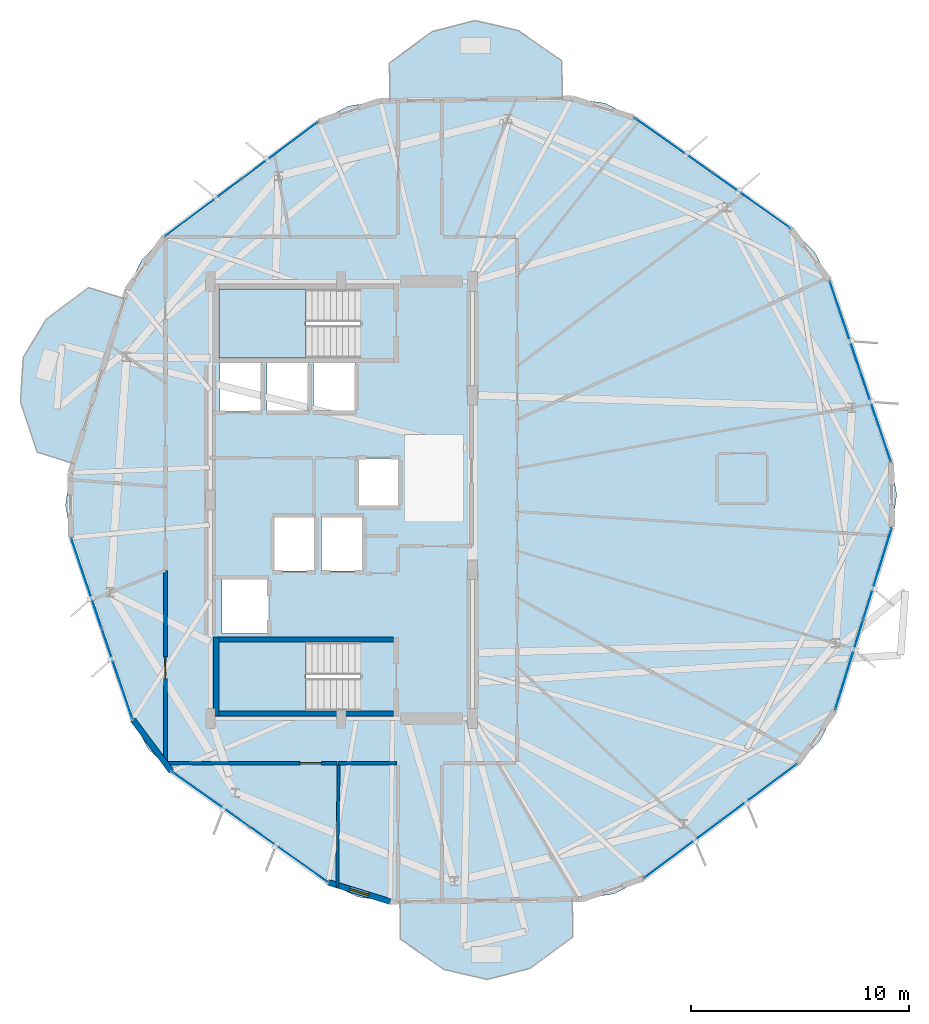
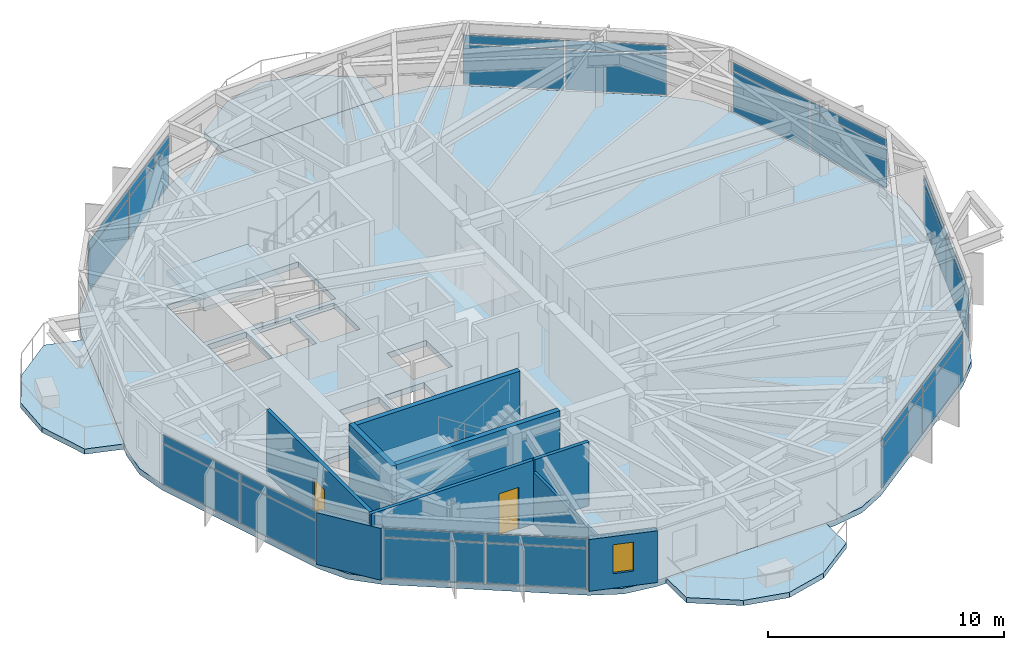
# One storey, part 20 of 27: 28 plates, 9 walls, 6 slabs, 2 doors, 1 window, 3 openings, 9 elements without a shape of their own.
"""IFC4 building model written with IfcOpenShell, lengths in metres."""

from ifc_helpers import new_model, si_unit, direction, frame, frame_2d, origin, origin_2d, place, context, subcontext, project, spatial, polyline, rectangle, outline, extrude, material, layer, layer_set, type_object, element, fill, aggregate, save


model = new_model("IFC4")

# Units and contexts
model_context = context("Model", 3, precision=1e-05, world=origin(), true_north=direction((0.0, 1.0)))
body_context = subcontext(model_context, "Body", "Model", "MODEL_VIEW")
ifc_project = project(units=[si_unit("LENGTHUNIT", "METRE"), si_unit("AREAUNIT", "SQUARE_METRE"), si_unit("VOLUMEUNIT", "CUBIC_METRE"), si_unit("PLANEANGLEUNIT", "RADIAN"), si_unit("MASSUNIT", "GRAM", prefix="KILO")], contexts=[model_context])

# Site, building, storey
site_placement = place(None, origin())
site = spatial("IfcSite", under=ifc_project, at=site_placement, CompositionType="ELEMENT")
building_placement = place(site_placement, origin())
building = spatial("IfcBuilding", under=site, at=building_placement, Name="Soratama Intermodal Tower", CompositionType="ELEMENT")
storey_placement = place(building_placement, frame((0.0, 0.0, 167.800048828125)))
storey = spatial("IfcBuildingStorey", under=building, at=storey_placement, Name="L41", CompositionType="ELEMENT", Elevation=167.800048828125)

# Curtain wall, plates
ifc_material_1 = material(Name="Double-glazed aluminium curtain wall", Category="aluminium")
ifc_layer_1 = layer(ifc_material_1, 0.159912109375)
ifc_layer_set_1 = layer_set([ifc_layer_1], Name="Double-glazed aluminium curtain wall")
curtain_wall_type = type_object("IfcCurtainWallType", Name="CW-SYS-4", PredefinedType="NOTDEFINED", material=ifc_layer_set_1)
curtain_wall_1_placement = place(storey_placement, origin())
curtain_wall_1 = element("IfcCurtainWall", 1, at=curtain_wall_1_placement, inside=storey, type_object=curtain_wall_type, Name="L41 Faceted Curtain Wall F01", PredefinedType="NOTDEFINED")
ifc_material_2 = material(Name="Low-E laminated double glazing", Category="glass")
ifc_layer_2 = layer(ifc_material_2, 0.02392578125)
ifc_layer_set_2 = layer_set([ifc_layer_2], Name="Low-E laminated double glazing")
plate_type = type_object("IfcPlateType", Name="PT-CWP-4", PredefinedType="CURTAIN_PANEL", material=ifc_layer_set_2)
plate_1_placement = place(storey_placement, frame((57.368408203125, 38.701904296875, 0.059814453125), z_axis=(0.0, 0.0, 1.0), x_axis=(-0.816345137098, 0.577564383542, 0.0)))
plate_1 = element("IfcPlate", 2, at=plate_1_placement, type_object=plate_type, Name="CW-4 panel 1.1", PredefinedType="CURTAIN_PANEL", context=body_context, shape_type="SweptSolid", body=[
    extrude(rectangle(XDim=4.305908203125, YDim=0.028076171875, at=origin_2d()), origin(), (0.0, 0.0, 1.0), 2.06005859375),
])
plate_2_placement = place(storey_placement, frame((57.368408203125, 38.701904296875, 2.179931640625), z_axis=(0.0, 0.0, 1.0), x_axis=(-0.816345137098, 0.577564383542, 0.0)))
plate_2 = element("IfcPlate", 3, at=plate_2_placement, type_object=plate_type, Name="CW-4 panel 1.2", PredefinedType="CURTAIN_PANEL", context=body_context, shape_type="SweptSolid", body=[
    extrude(rectangle(XDim=4.305908203125, YDim=0.028076171875, at=origin_2d()), origin(), (0.0, 0.0, 1.0), 0.43896484375),
])
plate_3_placement = place(storey_placement, frame((53.80419921875, 41.223388671875, 0.059814453125), z_axis=(0.0, 0.0, 1.0), x_axis=(-0.816345137098, 0.577564383542, 0.0)))
plate_3 = element("IfcPlate", 4, at=plate_3_placement, type_object=plate_type, Name="CW-4 panel 2.1", PredefinedType="CURTAIN_PANEL", context=body_context, shape_type="SweptSolid", body=[
    extrude(rectangle(XDim=4.305908203125, YDim=0.028076171875, at=origin_2d()), origin(), (0.0, 0.0, 1.0), 2.06005859375),
])
plate_4_placement = place(storey_placement, frame((53.80419921875, 41.223388671875, 2.179931640625), z_axis=(0.0, 0.0, 1.0), x_axis=(-0.816345137098, 0.577564383542, 0.0)))
plate_4 = element("IfcPlate", 5, at=plate_4_placement, type_object=plate_type, Name="CW-4 panel 2.2", PredefinedType="CURTAIN_PANEL", context=body_context, shape_type="SweptSolid", body=[
    extrude(rectangle(XDim=4.305908203125, YDim=0.028076171875, at=origin_2d()), origin(), (0.0, 0.0, 1.0), 0.43896484375),
])
aggregate(curtain_wall_1, [plate_1, plate_2, plate_3, plate_4])

curtain_wall_2_placement = place(storey_placement, origin())
curtain_wall_2 = element("IfcCurtainWall", 6, at=curtain_wall_2_placement, inside=storey, type_object=curtain_wall_type, Name="L41 Faceted Curtain Wall F03", PredefinedType="NOTDEFINED")
plate_5_placement = place(storey_placement, frame((35.790771484375, 40.9970703125, 0.059814453125), z_axis=(0.0, 0.0, 1.0), x_axis=(-0.801565569848, -0.59790688007, 0.0)))
plate_5 = element("IfcPlate", 7, at=plate_5_placement, type_object=plate_type, Name="CW-4 panel 1.1", PredefinedType="CURTAIN_PANEL", context=body_context, shape_type="SweptSolid", body=[
    extrude(rectangle(XDim=4.305908203125, YDim=0.028076171875, at=origin_2d()), origin(), (0.0, 0.0, 1.0), 2.06005859375),
])
plate_6_placement = place(storey_placement, frame((35.790771484375, 40.9970703125, 2.179931640625), z_axis=(0.0, 0.0, 1.0), x_axis=(-0.801565569848, -0.59790688007, 0.0)))
plate_6 = element("IfcPlate", 8, at=plate_6_placement, type_object=plate_type, Name="CW-4 panel 1.2", PredefinedType="CURTAIN_PANEL", context=body_context, shape_type="SweptSolid", body=[
    extrude(rectangle(XDim=4.305908203125, YDim=0.028076171875, at=origin_2d()), origin(), (0.0, 0.0, 1.0), 0.43896484375),
])
plate_7_placement = place(storey_placement, frame((32.291259765625, 38.38671875, 0.059814453125), z_axis=(0.0, 0.0, 1.0), x_axis=(-0.801565569848, -0.59790688007, 0.0)))
plate_7 = element("IfcPlate", 9, at=plate_7_placement, type_object=plate_type, Name="CW-4 panel 2.1", PredefinedType="CURTAIN_PANEL", context=body_context, shape_type="SweptSolid", body=[
    extrude(rectangle(XDim=4.305908203125, YDim=0.028076171875, at=origin_2d()), origin(), (0.0, 0.0, 1.0), 2.06005859375),
])
plate_8_placement = place(storey_placement, frame((32.291259765625, 38.38671875, 2.179931640625), z_axis=(0.0, 0.0, 1.0), x_axis=(-0.801565569848, -0.59790688007, 0.0)))
plate_8 = element("IfcPlate", 10, at=plate_8_placement, type_object=plate_type, Name="CW-4 panel 2.2", PredefinedType="CURTAIN_PANEL", context=body_context, shape_type="SweptSolid", body=[
    extrude(rectangle(XDim=4.305908203125, YDim=0.028076171875, at=origin_2d()), origin(), (0.0, 0.0, 1.0), 0.43896484375),
])
aggregate(curtain_wall_2, [plate_5, plate_6, plate_7, plate_8])

curtain_wall_3_placement = place(storey_placement, origin())
curtain_wall_3 = element("IfcCurtainWall", 11, at=curtain_wall_3_placement, inside=storey, type_object=curtain_wall_type, Name="L41 Faceted Curtain Wall F05", PredefinedType="NOTDEFINED")
plate_9_placement = place(storey_placement, frame((26.93994140625, 21.184814453125, 0.059814453125), z_axis=(0.0, 0.0, 1.0), x_axis=(0.320939679503, -0.947099636849, 0.0)))
plate_9 = element("IfcPlate", 12, at=plate_9_placement, type_object=plate_type, Name="CW-4 panel 1.1", PredefinedType="CURTAIN_PANEL", context=body_context, shape_type="SweptSolid", body=[
    extrude(rectangle(XDim=4.305908203125, YDim=0.028076171875, at=origin_2d()), origin(), (0.0, 0.0, 1.0), 2.06005859375),
])
plate_10_placement = place(storey_placement, frame((26.93994140625, 21.184814453125, 2.179931640625), z_axis=(0.0, 0.0, 1.0), x_axis=(0.320939679503, -0.947099636849, 0.0)))
plate_10 = element("IfcPlate", 13, at=plate_10_placement, type_object=plate_type, Name="CW-4 panel 1.2", PredefinedType="CURTAIN_PANEL", context=body_context, shape_type="SweptSolid", body=[
    extrude(rectangle(XDim=4.305908203125, YDim=0.028076171875, at=origin_2d()), origin(), (0.0, 0.0, 1.0), 0.43896484375),
])
plate_11_placement = place(storey_placement, frame((28.341064453125, 17.050048828125, 0.059814453125), z_axis=(0.0, 0.0, 1.0), x_axis=(0.320939679503, -0.947099636849, 0.0)))
plate_11 = element("IfcPlate", 14, at=plate_11_placement, type_object=plate_type, Name="CW-4 panel 2.1", PredefinedType="CURTAIN_PANEL", context=body_context, shape_type="SweptSolid", body=[
    extrude(rectangle(XDim=4.305908203125, YDim=0.028076171875, at=origin_2d()), origin(), (0.0, 0.0, 1.0), 2.06005859375),
])
plate_12_placement = place(storey_placement, frame((28.341064453125, 17.050048828125, 2.179931640625), z_axis=(0.0, 0.0, 1.0), x_axis=(0.320939679503, -0.947099636849, 0.0)))
plate_12 = element("IfcPlate", 15, at=plate_12_placement, type_object=plate_type, Name="CW-4 panel 2.2", PredefinedType="CURTAIN_PANEL", context=body_context, shape_type="SweptSolid", body=[
    extrude(rectangle(XDim=4.305908203125, YDim=0.028076171875, at=origin_2d()), origin(), (0.0, 0.0, 1.0), 0.43896484375),
])
aggregate(curtain_wall_3, [plate_9, plate_10, plate_11, plate_12])

curtain_wall_4_placement = place(storey_placement, origin())
curtain_wall_4 = element("IfcCurtainWall", 16, at=curtain_wall_4_placement, inside=storey, type_object=curtain_wall_type, Name="L41 Faceted Curtain Wall F06", PredefinedType="NOTDEFINED")
plate_13_placement = place(storey_placement, frame((32.631591796875, 11.298095703125, 0.059814453125), z_axis=(0.0, 0.0, 1.0), x_axis=(0.816345137098, -0.577564383542, 0.0)))
plate_13 = element("IfcPlate", 17, at=plate_13_placement, type_object=plate_type, Name="CW-4 panel 1.1", PredefinedType="CURTAIN_PANEL", context=body_context, shape_type="SweptSolid", body=[
    extrude(rectangle(XDim=4.305908203125, YDim=0.028076171875, at=origin_2d()), origin(), (0.0, 0.0, 1.0), 2.06005859375),
])
plate_14_placement = place(storey_placement, frame((32.631591796875, 11.298095703125, 2.179931640625), z_axis=(0.0, 0.0, 1.0), x_axis=(0.816345137098, -0.577564383542, 0.0)))
plate_14 = element("IfcPlate", 18, at=plate_14_placement, type_object=plate_type, Name="CW-4 panel 1.2", PredefinedType="CURTAIN_PANEL", context=body_context, shape_type="SweptSolid", body=[
    extrude(rectangle(XDim=4.305908203125, YDim=0.028076171875, at=origin_2d()), origin(), (0.0, 0.0, 1.0), 0.43896484375),
])
plate_15_placement = place(storey_placement, frame((36.19580078125, 8.776611328125, 0.059814453125), z_axis=(0.0, 0.0, 1.0), x_axis=(0.816345137098, -0.577564383542, 0.0)))
plate_15 = element("IfcPlate", 19, at=plate_15_placement, type_object=plate_type, Name="CW-4 panel 2.1", PredefinedType="CURTAIN_PANEL", context=body_context, shape_type="SweptSolid", body=[
    extrude(rectangle(XDim=4.305908203125, YDim=0.028076171875, at=origin_2d()), origin(), (0.0, 0.0, 1.0), 2.06005859375),
])
plate_16_placement = place(storey_placement, frame((36.19580078125, 8.776611328125, 2.179931640625), z_axis=(0.0, 0.0, 1.0), x_axis=(0.816345137098, -0.577564383542, 0.0)))
plate_16 = element("IfcPlate", 20, at=plate_16_placement, type_object=plate_type, Name="CW-4 panel 2.2", PredefinedType="CURTAIN_PANEL", context=body_context, shape_type="SweptSolid", body=[
    extrude(rectangle(XDim=4.305908203125, YDim=0.028076171875, at=origin_2d()), origin(), (0.0, 0.0, 1.0), 0.43896484375),
])
aggregate(curtain_wall_4, [plate_13, plate_14, plate_15, plate_16])

curtain_wall_5_placement = place(storey_placement, origin())
curtain_wall_5 = element("IfcCurtainWall", 21, at=curtain_wall_5_placement, inside=storey, type_object=curtain_wall_type, Name="L41 Faceted Curtain Wall F08", PredefinedType="NOTDEFINED")
plate_17_placement = place(storey_placement, frame((54.209228515625, 9.0029296875, 0.059814453125), z_axis=(0.0, 0.0, 1.0), x_axis=(0.801565569848, 0.59790688007, 0.0)))
plate_17 = element("IfcPlate", 22, at=plate_17_placement, type_object=plate_type, Name="CW-4 panel 1.1", PredefinedType="CURTAIN_PANEL", context=body_context, shape_type="SweptSolid", body=[
    extrude(rectangle(XDim=4.305908203125, YDim=0.028076171875, at=origin_2d()), origin(), (0.0, 0.0, 1.0), 2.06005859375),
])
plate_18_placement = place(storey_placement, frame((54.209228515625, 9.0029296875, 2.179931640625), z_axis=(0.0, 0.0, 1.0), x_axis=(0.801565569848, 0.59790688007, 0.0)))
plate_18 = element("IfcPlate", 23, at=plate_18_placement, type_object=plate_type, Name="CW-4 panel 1.2", PredefinedType="CURTAIN_PANEL", context=body_context, shape_type="SweptSolid", body=[
    extrude(rectangle(XDim=4.305908203125, YDim=0.028076171875, at=origin_2d()), origin(), (0.0, 0.0, 1.0), 0.43896484375),
])
plate_19_placement = place(storey_placement, frame((57.708740234375, 11.61328125, 0.059814453125), z_axis=(0.0, 0.0, 1.0), x_axis=(0.801565569848, 0.59790688007, 0.0)))
plate_19 = element("IfcPlate", 24, at=plate_19_placement, type_object=plate_type, Name="CW-4 panel 2.1", PredefinedType="CURTAIN_PANEL", context=body_context, shape_type="SweptSolid", body=[
    extrude(rectangle(XDim=4.305908203125, YDim=0.028076171875, at=origin_2d()), origin(), (0.0, 0.0, 1.0), 2.06005859375),
])
plate_20_placement = place(storey_placement, frame((57.708740234375, 11.61328125, 2.179931640625), z_axis=(0.0, 0.0, 1.0), x_axis=(0.801565569848, 0.59790688007, 0.0)))
plate_20 = element("IfcPlate", 25, at=plate_20_placement, type_object=plate_type, Name="CW-4 panel 2.2", PredefinedType="CURTAIN_PANEL", context=body_context, shape_type="SweptSolid", body=[
    extrude(rectangle(XDim=4.305908203125, YDim=0.028076171875, at=origin_2d()), origin(), (0.0, 0.0, 1.0), 0.43896484375),
])
aggregate(curtain_wall_5, [plate_17, plate_18, plate_19, plate_20])

curtain_wall_6_placement = place(storey_placement, origin())
curtain_wall_6 = element("IfcCurtainWall", 26, at=curtain_wall_6_placement, inside=storey, type_object=curtain_wall_type, Name="L41 Faceted Curtain Wall F09", PredefinedType="NOTDEFINED")
plate_21_placement = place(storey_placement, frame((61.853271484375, 17.47119140625, 0.059814453125), z_axis=(0.0, 0.0, 1.0), x_axis=(0.297040971785, 0.954864734442, 0.0)))
plate_21 = element("IfcPlate", 27, at=plate_21_placement, type_object=plate_type, Name="CW-4 panel 1.1", PredefinedType="CURTAIN_PANEL", context=body_context, shape_type="SweptSolid", body=[
    extrude(rectangle(XDim=4.305908203125, YDim=0.028076171875, at=origin_2d()), origin(), (0.0, 0.0, 1.0), 2.06005859375),
])
plate_22_placement = place(storey_placement, frame((61.853271484375, 17.47119140625, 2.179931640625), z_axis=(0.0, 0.0, 1.0), x_axis=(0.297040971785, 0.954864734442, 0.0)))
plate_22 = element("IfcPlate", 28, at=plate_22_placement, type_object=plate_type, Name="CW-4 panel 1.2", PredefinedType="CURTAIN_PANEL", context=body_context, shape_type="SweptSolid", body=[
    extrude(rectangle(XDim=4.305908203125, YDim=0.028076171875, at=origin_2d()), origin(), (0.0, 0.0, 1.0), 0.43896484375),
])
plate_23_placement = place(storey_placement, frame((63.150146484375, 21.639892578125, 0.059814453125), z_axis=(0.0, 0.0, 1.0), x_axis=(0.297040971785, 0.954864734442, 0.0)))
plate_23 = element("IfcPlate", 29, at=plate_23_placement, type_object=plate_type, Name="CW-4 panel 2.1", PredefinedType="CURTAIN_PANEL", context=body_context, shape_type="SweptSolid", body=[
    extrude(rectangle(XDim=4.305908203125, YDim=0.028076171875, at=origin_2d()), origin(), (0.0, 0.0, 1.0), 2.06005859375),
])
plate_24_placement = place(storey_placement, frame((63.150146484375, 21.639892578125, 2.179931640625), z_axis=(0.0, 0.0, 1.0), x_axis=(0.297040971785, 0.954864734442, 0.0)))
plate_24 = element("IfcPlate", 30, at=plate_24_placement, type_object=plate_type, Name="CW-4 panel 2.2", PredefinedType="CURTAIN_PANEL", context=body_context, shape_type="SweptSolid", body=[
    extrude(rectangle(XDim=4.305908203125, YDim=0.028076171875, at=origin_2d()), origin(), (0.0, 0.0, 1.0), 0.43896484375),
])
aggregate(curtain_wall_6, [plate_21, plate_22, plate_23, plate_24])

curtain_wall_7_placement = place(storey_placement, origin())
curtain_wall_7 = element("IfcCurtainWall", 31, at=curtain_wall_7_placement, inside=storey, type_object=curtain_wall_type, Name="L41 Faceted Curtain Wall F10", PredefinedType="NOTDEFINED")
plate_25_placement = place(storey_placement, frame((63.06005859375, 28.815185546875, 0.059814453125), z_axis=(0.0, 0.0, 1.0), x_axis=(-0.320939679503, 0.947099636849, 0.0)))
plate_25 = element("IfcPlate", 32, at=plate_25_placement, type_object=plate_type, Name="CW-4 panel 1.1", PredefinedType="CURTAIN_PANEL", context=body_context, shape_type="SweptSolid", body=[
    extrude(rectangle(XDim=4.305908203125, YDim=0.028076171875, at=origin_2d()), origin(), (0.0, 0.0, 1.0), 2.06005859375),
])
plate_26_placement = place(storey_placement, frame((63.06005859375, 28.815185546875, 2.179931640625), z_axis=(0.0, 0.0, 1.0), x_axis=(-0.320939679503, 0.947099636849, 0.0)))
plate_26 = element("IfcPlate", 33, at=plate_26_placement, type_object=plate_type, Name="CW-4 panel 1.2", PredefinedType="CURTAIN_PANEL", context=body_context, shape_type="SweptSolid", body=[
    extrude(rectangle(XDim=4.305908203125, YDim=0.028076171875, at=origin_2d()), origin(), (0.0, 0.0, 1.0), 0.43896484375),
])
plate_27_placement = place(storey_placement, frame((61.658935546875, 32.949951171875, 0.059814453125), z_axis=(0.0, 0.0, 1.0), x_axis=(-0.320939679503, 0.947099636849, 0.0)))
plate_27 = element("IfcPlate", 34, at=plate_27_placement, type_object=plate_type, Name="CW-4 panel 2.1", PredefinedType="CURTAIN_PANEL", context=body_context, shape_type="SweptSolid", body=[
    extrude(rectangle(XDim=4.305908203125, YDim=0.028076171875, at=origin_2d()), origin(), (0.0, 0.0, 1.0), 2.06005859375),
])
plate_28_placement = place(storey_placement, frame((61.658935546875, 32.949951171875, 2.179931640625), z_axis=(0.0, 0.0, 1.0), x_axis=(-0.320939679503, 0.947099636849, 0.0)))
plate_28 = element("IfcPlate", 35, at=plate_28_placement, type_object=plate_type, Name="CW-4 panel 2.2", PredefinedType="CURTAIN_PANEL", context=body_context, shape_type="SweptSolid", body=[
    extrude(rectangle(XDim=4.305908203125, YDim=0.028076171875, at=origin_2d()), origin(), (0.0, 0.0, 1.0), 0.43896484375),
])
aggregate(curtain_wall_7, [plate_25, plate_26, plate_27, plate_28])

# Slabs
ifc_material_3 = material(Name="Concrete f'c 42 MPa", Category="concrete")
ifc_layer_3 = layer(ifc_material_3, 0.27001953125)
ifc_layer_set_3 = layer_set([ifc_layer_3], Name="Concrete f'c 42 MPa")
slab_type_1 = type_object("IfcSlabType", Name="SL-EXT-BAL1", PredefinedType="FLOOR", material=ifc_layer_set_3)
slab_1_placement = place(storey_placement, frame((0.0, 0.0, -0.27001953125)))
element("IfcSlab", 36, at=slab_1_placement, inside=storey, type_object=slab_type_1, Name="L41 Planted Balcony North 1", PredefinedType="FLOOR", context=body_context, shape_type="SweptSolid", body=[
    extrude(outline(polyline([(48.715087890625, 43.377197265625), (40.82421875, 43.278076171875), (40.802490234375, 44.997802734375), (42.757568359375, 46.437744140625), (44.72412109375, 46.947265625), (46.703125, 46.4873046875), (48.693603515625, 45.096923828125), (48.715087890625, 43.377197265625)])), origin(), (0.0, 0.0, 1.0), 0.27001953125),
])
slab_2_placement = place(storey_placement, frame((0.0, 0.0, -0.27001953125)))
element("IfcSlab", 37, at=slab_2_placement, inside=storey, type_object=slab_type_1, Name="L41 Planted Balcony West 2", PredefinedType="FLOOR", context=body_context, shape_type="SweptSolid", body=[
    extrude(outline(polyline([(28.67041015625, 34.212158203125), (26.326171875, 26.6767578125), (24.683837890625, 27.1875), (23.91845703125, 29.491943359375), (24.04150390625, 31.519775390625), (25.090576171875, 33.259521484375), (27.028076171875, 34.72314453125), (28.67041015625, 34.212158203125)])), origin(), (0.0, 0.0, 1.0), 0.27001953125),
])
slab_3_placement = place(storey_placement, frame((0.0, 0.0, -0.27001953125)))
element("IfcSlab", 38, at=slab_3_placement, inside=storey, type_object=slab_type_1, Name="L41 Planted Balcony South 3", PredefinedType="FLOOR", context=body_context, shape_type="SweptSolid", body=[
    extrude(outline(polyline([(41.284912109375, 6.622802734375), (49.17578125, 6.721923828125), (49.197509765625, 5.002197265625), (47.242431640625, 3.562255859375), (45.27587890625, 3.052734375), (43.296875, 3.5126953125), (41.306396484375, 4.903076171875), (41.284912109375, 6.622802734375)])), origin(), (0.0, 0.0, 1.0), 0.27001953125),
])

# Stair, slab
ifc_material_4 = material(Name="Concrete f'c 42 MPa", Category="concrete")
stair_type = type_object("IfcStairType", Name="ST-CORE-DOGLEG", PredefinedType="HALF_TURN_STAIR", material=ifc_material_4)
stair_1_placement = place(storey_placement, origin())
stair_1 = element("IfcStair", 39, at=stair_1_placement, inside=storey, type_object=stair_type, Name="L41 ST-1", PredefinedType="HALF_TURN_STAIR")
ifc_material_5 = material(Name="Concrete f'c 42 MPa", Category="concrete")
ifc_layer_4 = layer(ifc_material_5, 0.219970703125)
ifc_layer_set_4 = layer_set([ifc_layer_4], Name="Concrete f'c 42 MPa")
slab_type_2 = type_object("IfcSlabType", Name="SL-STAIR-LAND", PredefinedType="LANDING", material=ifc_layer_set_4)
slab_4_placement = place(storey_placement, frame((0.0, 0.0, 1.599853515625)))
slab_4 = element("IfcSlab", 40, at=slab_4_placement, type_object=slab_type_2, Name="ST-1 landing 1", PredefinedType="LANDING", context=body_context, shape_type="SweptSolid", body=[
    extrude(outline(polyline([(36.97998046875, 18.5), (33.0, 18.5), (33.0, 15.35009765625), (36.97998046875, 15.35009765625), (36.97998046875, 18.5)])), origin(), (0.0, 0.0, 1.0), 0.2001953125),
])
aggregate(stair_1, [slab_4])

stair_2_placement = place(storey_placement, origin())
stair_2 = element("IfcStair", 41, at=stair_2_placement, inside=storey, type_object=stair_type, Name="L41 ST-2", PredefinedType="HALF_TURN_STAIR")
slab_5_placement = place(storey_placement, frame((0.0, 0.0, 1.599853515625)))
slab_5 = element("IfcSlab", 42, at=slab_5_placement, type_object=slab_type_2, Name="ST-2 landing 1", PredefinedType="LANDING", context=body_context, shape_type="SweptSolid", body=[
    extrude(outline(polyline([(36.97998046875, 34.64990234375), (33.0, 34.64990234375), (33.0, 31.5), (36.97998046875, 31.5), (36.97998046875, 34.64990234375)])), origin(), (0.0, 0.0, 1.0), 0.2001953125),
])
aggregate(stair_2, [slab_5])

# Slab
ifc_material_6 = material(Name="Concrete f'c 42 MPa", Category="concrete")
ifc_layer_5 = layer(ifc_material_6, 0.280029296875)
ifc_layer_set_5 = layer_set([ifc_layer_5], Name="Concrete f'c 42 MPa")
slab_type_3 = type_object("IfcSlabType", Name="SL-TWR-280", PredefinedType="FLOOR", material=ifc_layer_set_5)
slab_6_placement = place(storey_placement, frame((0.0, 0.0, -0.300048828125)))
element("IfcSlab", 43, at=slab_6_placement, inside=storey, type_object=slab_type_3, Name="L41 Structural Floor Slab", PredefinedType="FLOOR", context=body_context, shape_type="SweptSolid", body=[
    extrude(outline(polyline([(60.948486328125, 35.0458984375), (60.25, 36.375244140625), (59.1748046875, 37.423828125), (51.997802734375, 42.501708984375), (50.6513671875, 43.16650390625), (49.165283203125, 43.3828125), (40.374267578125, 43.2724609375), (38.89404296875, 43.018798828125), (37.564453125, 42.3203125), (30.517333984375, 37.063720703125), (29.468994140625, 35.988525390625), (28.803955078125, 34.641845703125), (26.1923828125, 26.2470703125), (25.976318359375, 24.760986328125), (26.229736328125, 23.28076171875), (29.051513671875, 14.9541015625), (29.75, 13.624755859375), (30.8251953125, 12.576171875), (38.002197265625, 7.498291015625), (39.3486328125, 6.83349609375), (40.834716796875, 6.6171875), (49.625732421875, 6.7275390625), (51.10595703125, 6.981201171875), (52.435546875, 7.6796875), (59.482666015625, 12.936279296875), (60.531005859375, 14.011474609375), (61.196044921875, 15.358154296875), (63.8076171875, 23.7529296875), (64.023681640625, 25.239013671875), (63.770263671875, 26.71923828125), (60.948486328125, 35.0458984375)]), holes=[polyline([(33.0, 18.5), (33.0, 15.35009765625), (39.47509765625, 15.35009765625), (39.47509765625, 18.5), (33.0, 18.5)]), polyline([(35.260009765625, 21.409912109375), (33.139892578125, 21.409912109375), (33.139892578125, 18.889892578125), (35.260009765625, 18.889892578125), (35.260009765625, 21.409912109375)]), polyline([(37.409912109375, 24.260009765625), (35.489990234375, 24.260009765625), (35.489990234375, 21.739990234375), (37.409912109375, 21.739990234375), (37.409912109375, 24.260009765625)]), polyline([(39.610107421875, 24.260009765625), (37.68994140625, 24.260009765625), (37.68994140625, 21.739990234375), (39.610107421875, 21.739990234375), (39.610107421875, 24.260009765625)]), polyline([(41.260009765625, 26.909912109375), (39.340087890625, 26.909912109375), (39.340087890625, 24.68994140625), (41.260009765625, 24.68994140625), (41.260009765625, 26.909912109375)]), polyline([(34.9599609375, 31.260009765625), (33.0400390625, 31.260009765625), (33.0400390625, 29.0400390625), (34.9599609375, 29.0400390625), (34.9599609375, 31.260009765625)]), polyline([(37.110107421875, 31.260009765625), (35.18994140625, 31.260009765625), (35.18994140625, 29.0400390625), (37.110107421875, 29.0400390625), (37.110107421875, 31.260009765625)]), polyline([(39.260009765625, 29.0400390625), (39.260009765625, 31.260009765625), (37.340087890625, 31.260009765625), (37.340087890625, 29.0400390625), (39.260009765625, 29.0400390625)]), polyline([(39.47509765625, 34.64990234375), (33.0, 34.64990234375), (33.0, 31.5), (39.47509765625, 31.5), (39.47509765625, 34.64990234375)])]), origin(), (0.0, 0.0, 1.0), 0.300048828125),
])

# Wall
ifc_material_7 = material(Name="Concrete f'c 42 MPa", Category="concrete")
ifc_layer_6 = layer(ifc_material_7, 0.27001953125)
ifc_layer_set_6 = layer_set([ifc_layer_6], Name="Concrete f'c 42 MPa")
wall_type_1 = type_object("IfcWallType", Name="EW-CRN-270", PredefinedType="SOLIDWALL", material=ifc_layer_set_6)
wall_1_placement = place(storey_placement, frame((29.051513671875, 14.9541015625, 0.0), z_axis=(0.0, 0.0, 1.0), x_axis=(0.597891104192, -0.80157733721, 0.0)))
element("IfcWall", 44, at=wall_1_placement, inside=storey, type_object=wall_type_1, Name="L41 Corner Closure Wall 05", PredefinedType="SOLIDWALL", context=body_context, shape_type="SweptSolid", body=[
    extrude(rectangle(XDim=2.966552734375, YDim=0.27001953125, at=frame_2d((1.4833984375, 0.0))), origin(), (0.0, 0.0, 1.0), 2.678955078125),
])

# Wall, opening, window
wall_2_placement = place(storey_placement, frame((38.002197265625, 7.498291015625, 0.0), z_axis=(0.0, 0.0, 1.0), x_axis=(0.954868707694, -0.29702819911, 0.0)))
wall_2 = element("IfcWall", 45, at=wall_2_placement, inside=storey, type_object=wall_type_1, Name="L41 Corner Closure Wall 06", PredefinedType="SOLIDWALL", context=body_context, shape_type="SweptSolid", body=[
    extrude(rectangle(XDim=2.96630859375, YDim=0.27001953125, at=frame_2d((1.483154296875, 0.0))), origin(), (0.0, 0.0, 1.0), 2.678955078125),
])
opening_1_placement = place(wall_2_placement, frame((1.033203125, 0.0, 0.75)))
opening_1 = element("IfcOpeningElement", 46, at=opening_1_placement, cuts=wall_2, Name="Opening WN-6", PredefinedType="OPENING", context=body_context, shape_type="SweptSolid", body=[
    extrude(rectangle(XDim=0.89990234375, YDim=1.5, at=frame_2d((0.449951171875, 0.75))), frame((0.0, 0.14501953125, 0.0), z_axis=(0.0, -1.0, 0.0), x_axis=(1.0, 0.0, 0.0)), (0.0, 0.0, 1.0), 0.2900390625),
])
ifc_material_8 = material(Name="Double-glazed aluminium window", Category="aluminium")
window_type = type_object("IfcWindowType", Name="WN-FAC-900", PartitioningType="SINGLE_PANEL", PredefinedType="WINDOW", material=ifc_material_8)
window_placement = place(opening_1_placement, origin())
window = element("IfcWindow", 47, at=window_placement, inside=storey, type_object=window_type, Name="L41 Corner Window 06", OverallHeight=1.5, OverallWidth=0.89990234375, PartitioningType="SINGLE_PANEL", PredefinedType="WINDOW", context=body_context, shape_type="SweptSolid", body=[
    extrude(rectangle(XDim=0.89990234375, YDim=1.5, at=frame_2d((0.449951171875, 0.75))), frame((0.0, 0.030029296875, 0.0), z_axis=(0.0, -1.0, 0.0), x_axis=(1.0, 0.0, 0.0)), (0.0, 0.0, 1.0), 0.06005859375),
])
fill(opening_1, window)

# Wall, opening, door
ifc_material_9 = material(Name="Fire-rated gypsum stud partition", Category="concrete")
ifc_layer_7 = layer(ifc_material_9, 0.169921875)
ifc_layer_set_7 = layer_set([ifc_layer_7], Name="Fire-rated gypsum stud partition")
wall_type_2 = type_object("IfcWallType", Name="IW-PART-R170", PredefinedType="PARTITIONING", material=ifc_layer_set_7)
wall_3_placement = place(storey_placement, frame((30.550048828125, 12.843994140625, 0.0), z_axis=(0.0, 0.0, 1.0), x_axis=(0.0, 1.0, 0.0)))
wall_3 = element("IfcWall", 48, at=wall_3_placement, inside=storey, type_object=wall_type_2, Name="L41 Partition W-L41-TP009", PredefinedType="PARTITIONING", context=body_context, shape_type="SweptSolid", body=[
    extrude(rectangle(XDim=8.93408203125, YDim=0.169921875, at=frame_2d((4.467041015625, 0.0))), origin(), (0.0, 0.0, 1.0), 3.300048828125),
])
opening_2_placement = place(wall_3_placement, frame((3.991943359375, 0.0, 0.0)))
opening_2 = element("IfcOpeningElement", 49, at=opening_2_placement, cuts=wall_3, Name="Opening ID-5", PredefinedType="OPENING", context=body_context, shape_type="SweptSolid", body=[
    extrude(rectangle(XDim=0.97998046875, YDim=2.14990234375, at=frame_2d((0.489990234375, 1.074951171875))), frame((0.0, 0.094970703125, 0.0), z_axis=(0.0, -1.0, 0.0), x_axis=(1.0, 0.0, 0.0)), (0.0, 0.0, 1.0), 0.18994140625),
])
ifc_material_10 = material(Name="Solid hardwood acoustic door", Category="wood")
door_type = type_object("IfcDoorType", Name="DR-OFF-980", OperationType="NOTDEFINED", PredefinedType="DOOR", material=ifc_material_10)
door_1_placement = place(opening_2_placement, origin())
door_1 = element("IfcDoor", 50, at=door_1_placement, inside=storey, type_object=door_type, Name="L41 Door D-L41-TP001", OperationType="SINGLE_SWING_RIGHT", OverallHeight=2.14990234375, OverallWidth=0.97998046875, PredefinedType="DOOR", context=body_context, shape_type="SweptSolid", body=[
    extrude(rectangle(XDim=0.97998046875, YDim=2.14990234375, at=frame_2d((0.489990234375, 1.074951171875))), frame((0.0, 0.02490234375, 0.0), z_axis=(0.0, -1.0, 0.0), x_axis=(1.0, 0.0, 0.0)), (0.0, 0.0, 1.0), 0.050048828125),
])
fill(opening_2, door_1)

wall_4_placement = place(storey_placement, frame((38.405029296875, 12.949951171875, 0.0), z_axis=(0.0, 0.0, 1.0), x_axis=(-1.0, 0.0, 0.0)))
wall_4 = element("IfcWall", 51, at=wall_4_placement, inside=storey, type_object=wall_type_2, Name="L41 Partition W-L41-TP010", PredefinedType="PARTITIONING", context=body_context, shape_type="SweptSolid", body=[
    extrude(rectangle(XDim=7.963134765625, YDim=0.169921875, at=frame_2d((3.9814453125, 0.0))), origin(), (0.0, 0.0, 1.0), 3.300048828125),
])
opening_3_placement = place(wall_4_placement, frame((0.718994140625, 0.0, 0.0)))
opening_3 = element("IfcOpeningElement", 52, at=opening_3_placement, cuts=wall_4, Name="Opening ID-5", PredefinedType="OPENING", context=body_context, shape_type="SweptSolid", body=[
    extrude(rectangle(XDim=0.97998046875, YDim=2.14990234375, at=frame_2d((0.489990234375, 1.074951171875))), frame((0.0, 0.094970703125, 0.0), z_axis=(0.0, -1.0, 0.0), x_axis=(1.0, 0.0, 0.0)), (0.0, 0.0, 1.0), 0.18994140625),
])
door_2_placement = place(opening_3_placement, origin())
door_2 = element("IfcDoor", 53, at=door_2_placement, inside=storey, type_object=door_type, Name="L41 Door D-L41-TP002", OperationType="SINGLE_SWING_LEFT", OverallHeight=2.14990234375, OverallWidth=0.97998046875, PredefinedType="DOOR", context=body_context, shape_type="SweptSolid", body=[
    extrude(rectangle(XDim=0.97998046875, YDim=2.14990234375, at=frame_2d((0.489990234375, 1.074951171875))), frame((0.0, 0.02490234375, 0.0), z_axis=(0.0, -1.0, 0.0), x_axis=(1.0, 0.0, 0.0)), (0.0, 0.0, 1.0), 0.050048828125),
])
fill(opening_3, door_2)

# Walls
wall_5_placement = place(storey_placement, frame((41.1298828125, 12.949951171875, 0.0), z_axis=(0.0, 0.0, 1.0), x_axis=(-1.0, 0.0, 0.0)))
element("IfcWall", 54, at=wall_5_placement, inside=storey, type_object=wall_type_2, Name="L41 Partition W-L41-TP034", PredefinedType="PARTITIONING", context=body_context, shape_type="SweptSolid", body=[
    extrude(rectangle(XDim=2.65380859375, YDim=0.169921875, at=frame_2d((1.326904296875, 0.0))), origin(), (0.0, 0.0, 1.0), 3.300048828125),
])
ifc_material_11 = material(Name="Fire-rated gypsum stud partition", Category="concrete")
ifc_layer_8 = layer(ifc_material_11, 0.1298828125)
ifc_layer_set_8 = layer_set([ifc_layer_8], Name="Fire-rated gypsum stud partition")
wall_type_3 = type_object("IfcWallType", Name="IW-PART-S130", PredefinedType="PARTITIONING", material=ifc_layer_set_8)
wall_6_placement = place(storey_placement, frame((38.47509765625, 12.87890625, 0.0), z_axis=(0.0, 0.0, 1.0), x_axis=(-0.010226737898, -0.999947705549, 0.0)))
element("IfcWall", 55, at=wall_6_placement, inside=storey, type_object=wall_type_3, Name="L41 Partition W-L41-TP020", PredefinedType="PARTITIONING", context=body_context, shape_type="SweptSolid", body=[
    extrude(rectangle(XDim=5.586181640625, YDim=0.1298828125, at=frame_2d((2.79296875, 0.0))), origin(), (0.0, 0.0, 1.0), 2.677978515625),
])
ifc_material_12 = material(Name="Concrete f'c 56 MPa", Category="concrete")
ifc_layer_9 = layer(ifc_material_12, 0.239990234375)
ifc_layer_set_9 = layer_set([ifc_layer_9], Name="Concrete f'c 56 MPa")
wall_type_4 = type_object("IfcWallType", Name="SW-STAIR-240", PredefinedType="SHEAR", material=ifc_layer_set_9)
wall_7_placement = place(storey_placement, frame((32.8798828125, 15.110107421875, 0.0), z_axis=(0.0, 0.0, 1.0), x_axis=(0.0, 1.0, 0.0)))
element("IfcWall", 56, at=wall_7_placement, inside=storey, type_object=wall_type_4, Name="L41 ST-1 Shaft Shear Wall W", PredefinedType="SHEAR", context=body_context, shape_type="SweptSolid", body=[
    extrude(rectangle(XDim=3.6298828125, YDim=0.239990234375, at=frame_2d((1.81494140625, 0.0))), origin(), (0.0, 0.0, 1.0), 3.599853515625),
])
for number, where, z_axis, x_axis, name in (
    (57, (33.0, 15.22998046875, 0.0), (0.0, 0.0, 1.0), (1.0, 0.0, 0.0), "L41 ST-1 Shaft Shear Wall S"),
    (58, (33.0, 18.6201171875, 0.0), (0.0, 0.0, 1.0), (1.0, 0.0, 0.0), "L41 ST-1 Shaft Shear Wall N"),
):
    element("IfcWall", number, at=place(storey_placement, frame(where, z_axis=z_axis, x_axis=x_axis)), inside=storey, type_object=wall_type_4, Name=name, PredefinedType="SHEAR", context=body_context, shape_type="SweptSolid", body=[
        extrude(rectangle(XDim=8.0, YDim=0.239990234375, at=frame_2d((4.0, 0.0))), origin(), (0.0, 0.0, 1.0), 3.599853515625),
    ])

save(model, "model.ifc")
